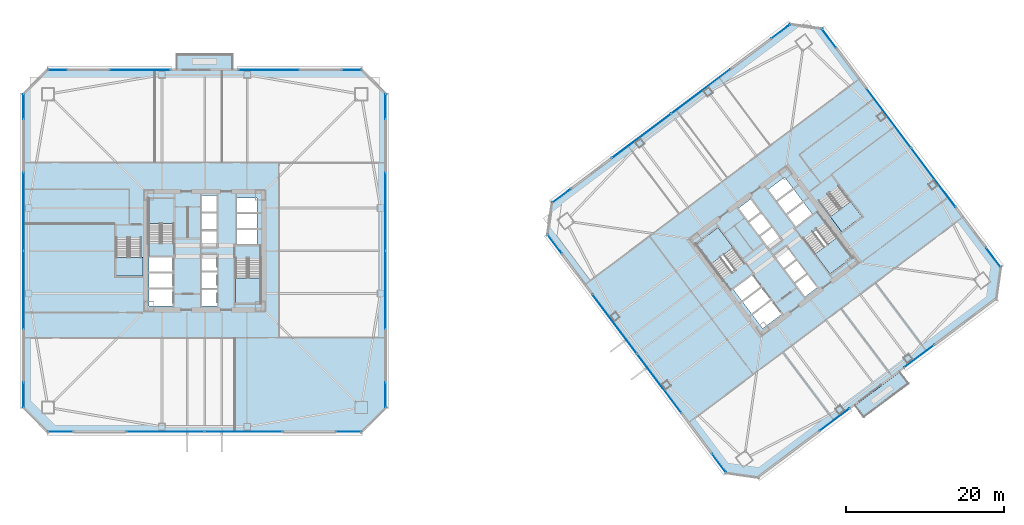
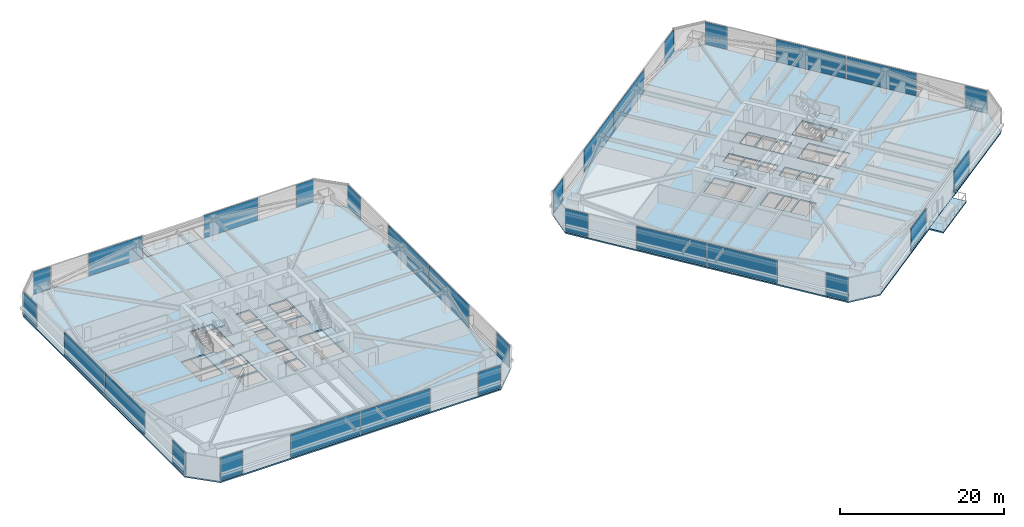
# One storey, part 36 of 48: 30 plates, 10 slabs, 30 elements without a shape of their own.
"""IFC4 building model written with IfcOpenShell, lengths in metres."""

from ifc_helpers import new_model, si_unit, direction, frame, origin, origin_2d, place, context, subcontext, project, spatial, polyline, rectangle, outline, extrude, material, layer, layer_set, type_object, element, aggregate, save


model = new_model("IFC4")

# Units and contexts
model_context = context("Model", 3, precision=1e-05, world=origin(), true_north=direction((0.0, 1.0)))
body_context = subcontext(model_context, "Body", "Model", "MODEL_VIEW")
ifc_project = project(units=[si_unit("LENGTHUNIT", "METRE"), si_unit("AREAUNIT", "SQUARE_METRE"), si_unit("VOLUMEUNIT", "CUBIC_METRE"), si_unit("PLANEANGLEUNIT", "RADIAN"), si_unit("MASSUNIT", "GRAM", prefix="KILO")], contexts=[model_context])

# Site, building, storey
site_placement = place(None, origin())
site = spatial("IfcSite", under=ifc_project, at=site_placement, CompositionType="ELEMENT")
building_placement = place(site_placement, origin())
building = spatial("IfcBuilding", under=site, at=building_placement, Name="Tashvorn Skyway Center", CompositionType="ELEMENT")
storey_placement = place(building_placement, frame((0.0, 0.0, 53.0)))
storey = spatial("IfcBuildingStorey", under=building, at=storey_placement, Name="L13", CompositionType="ELEMENT", Elevation=53.0)

# Curtain wall, plate
ifc_material_1 = material(Name="Thermally broken bronze-anodized aluminium 6063-T6", Category="aluminium")
curtain_wall_type = type_object("IfcCurtainWallType", Name="CW-CW-Z1", PredefinedType="NOTDEFINED", material=ifc_material_1)
curtain_wall_1_placement = place(storey_placement, origin())
curtain_wall_1 = element("IfcCurtainWall", 1, at=curtain_wall_1_placement, inside=storey, type_object=curtain_wall_type, Name="Tower 1 L13 South Unitised Curtain Wall Glazing Group 1", PredefinedType="NOTDEFINED")
ifc_material_2 = material(Name="Low-E solar-control double insulating safety glass", Category="glass")
ifc_layer_1 = layer(ifc_material_2, 0.048095703125)
ifc_layer_set_1 = layer_set([ifc_layer_1], Name="Low-E solar-control double insulating safety glass")
plate_type = type_object("IfcPlateType", Name="CWP-CW-Z1", PredefinedType="CURTAIN_PANEL", material=ifc_layer_set_1)
plate_1_placement = place(storey_placement, frame((60.223388671875, 9.1201171875, 0.0849609375), z_axis=(0.0, 0.0, 1.0), x_axis=(-1.0, 0.0, 0.0)))
plate_1 = element("IfcPlate", 2, at=plate_1_placement, type_object=plate_type, Name="CW-Z1 panel 1.1", PredefinedType="CURTAIN_PANEL", context=body_context, shape_type="SweptSolid", body=[
    extrude(rectangle(XDim=3.143310546875, YDim=0.048095703125, at=origin_2d()), origin(), (0.0, 0.0, 1.0), 3.3798828125),
])
aggregate(curtain_wall_1, [plate_1])

# Curtain wall, plates
curtain_wall_2_placement = place(storey_placement, origin())
curtain_wall_2 = element("IfcCurtainWall", 3, at=curtain_wall_2_placement, inside=storey, type_object=curtain_wall_type, Name="Tower 1 L13 South Unitised Curtain Wall Glazing Group 2", PredefinedType="NOTDEFINED")
plate_2_placement = place(storey_placement, frame((46.94873046875, 9.1201171875, 0.0849609375), z_axis=(0.0, 0.0, 1.0), x_axis=(-1.0, 0.0, 0.0)))
plate_2 = element("IfcPlate", 4, at=plate_2_placement, type_object=plate_type, Name="CW-Z1 panel 1.1", PredefinedType="CURTAIN_PANEL", context=body_context, shape_type="SweptSolid", body=[
    extrude(rectangle(XDim=9.8125, YDim=0.048095703125, at=origin_2d()), origin(), (0.0, 0.0, 1.0), 3.3798828125),
])
plate_3_placement = place(storey_placement, frame((37.05126953125, 9.1201171875, 0.0849609375), z_axis=(0.0, 0.0, 1.0), x_axis=(-1.0, 0.0, 0.0)))
plate_3 = element("IfcPlate", 5, at=plate_3_placement, type_object=plate_type, Name="CW-Z1 panel 2.1", PredefinedType="CURTAIN_PANEL", context=body_context, shape_type="SweptSolid", body=[
    extrude(rectangle(XDim=9.8125, YDim=0.048095703125, at=origin_2d()), origin(), (0.0, 0.0, 1.0), 3.3798828125),
])
aggregate(curtain_wall_2, [plate_2, plate_3])

# Curtain wall, plate
curtain_wall_3_placement = place(storey_placement, origin())
curtain_wall_3 = element("IfcCurtainWall", 6, at=curtain_wall_3_placement, inside=storey, type_object=curtain_wall_type, Name="Tower 1 L13 South Unitised Curtain Wall Glazing Group 3", PredefinedType="NOTDEFINED")
plate_4_placement = place(storey_placement, frame((23.776611328125, 9.1201171875, 0.0849609375), z_axis=(0.0, 0.0, 1.0), x_axis=(-1.0, 0.0, 0.0)))
plate_4 = element("IfcPlate", 7, at=plate_4_placement, type_object=plate_type, Name="CW-Z1 panel 1.1", PredefinedType="CURTAIN_PANEL", context=body_context, shape_type="SweptSolid", body=[
    extrude(rectangle(XDim=3.143310546875, YDim=0.048095703125, at=origin_2d()), origin(), (0.0, 0.0, 1.0), 3.3798828125),
])
aggregate(curtain_wall_3, [plate_4])

curtain_wall_4_placement = place(storey_placement, origin())
curtain_wall_4 = element("IfcCurtainWall", 8, at=curtain_wall_4_placement, inside=storey, type_object=curtain_wall_type, Name="Tower 1 L13 West Unitised Curtain Wall Glazing Group 1", PredefinedType="NOTDEFINED")
plate_5_placement = place(storey_placement, frame((19.1201171875, 13.776611328125, 0.0849609375), z_axis=(0.0, 0.0, 1.0), x_axis=(0.0, 1.0, 0.0)))
plate_5 = element("IfcPlate", 9, at=plate_5_placement, type_object=plate_type, Name="CW-Z1 panel 1.1", PredefinedType="CURTAIN_PANEL", context=body_context, shape_type="SweptSolid", body=[
    extrude(rectangle(XDim=3.143310546875, YDim=0.048095703125, at=origin_2d()), origin(), (0.0, 0.0, 1.0), 3.3798828125),
])
aggregate(curtain_wall_4, [plate_5])

# Curtain wall, plates
curtain_wall_5_placement = place(storey_placement, origin())
curtain_wall_5 = element("IfcCurtainWall", 10, at=curtain_wall_5_placement, inside=storey, type_object=curtain_wall_type, Name="Tower 1 L13 West Unitised Curtain Wall Glazing Group 2", PredefinedType="NOTDEFINED")
plate_6_placement = place(storey_placement, frame((19.1201171875, 27.05126953125, 0.0849609375), z_axis=(0.0, 0.0, 1.0), x_axis=(0.0, 1.0, 0.0)))
plate_6 = element("IfcPlate", 11, at=plate_6_placement, type_object=plate_type, Name="CW-Z1 panel 1.1", PredefinedType="CURTAIN_PANEL", context=body_context, shape_type="SweptSolid", body=[
    extrude(rectangle(XDim=9.8125, YDim=0.048095703125, at=origin_2d()), origin(), (0.0, 0.0, 1.0), 3.3798828125),
])
plate_7_placement = place(storey_placement, frame((19.1201171875, 36.94873046875, 0.0849609375), z_axis=(0.0, 0.0, 1.0), x_axis=(0.0, 1.0, 0.0)))
plate_7 = element("IfcPlate", 12, at=plate_7_placement, type_object=plate_type, Name="CW-Z1 panel 2.1", PredefinedType="CURTAIN_PANEL", context=body_context, shape_type="SweptSolid", body=[
    extrude(rectangle(XDim=9.8125, YDim=0.048095703125, at=origin_2d()), origin(), (0.0, 0.0, 1.0), 3.3798828125),
])
aggregate(curtain_wall_5, [plate_6, plate_7])

# Curtain wall, plate
curtain_wall_6_placement = place(storey_placement, origin())
curtain_wall_6 = element("IfcCurtainWall", 13, at=curtain_wall_6_placement, inside=storey, type_object=curtain_wall_type, Name="Tower 1 L13 West Unitised Curtain Wall Glazing Group 3", PredefinedType="NOTDEFINED")
plate_8_placement = place(storey_placement, frame((19.1201171875, 50.223388671875, 0.0849609375), z_axis=(0.0, 0.0, 1.0), x_axis=(0.0, 1.0, 0.0)))
plate_8 = element("IfcPlate", 14, at=plate_8_placement, type_object=plate_type, Name="CW-Z1 panel 1.1", PredefinedType="CURTAIN_PANEL", context=body_context, shape_type="SweptSolid", body=[
    extrude(rectangle(XDim=3.143310546875, YDim=0.048095703125, at=origin_2d()), origin(), (0.0, 0.0, 1.0), 3.3798828125),
])
aggregate(curtain_wall_6, [plate_8])

curtain_wall_7_placement = place(storey_placement, origin())
curtain_wall_7 = element("IfcCurtainWall", 15, at=curtain_wall_7_placement, inside=storey, type_object=curtain_wall_type, Name="Tower 1 L13 North Curtain Wall L Glazing Group 1", PredefinedType="NOTDEFINED")
plate_9_placement = place(storey_placement, frame((23.422607421875, 54.8798828125, 0.0849609375), z_axis=(0.0, 0.0, 1.0), x_axis=(1.0, 0.0, 0.0)))
plate_9 = element("IfcPlate", 16, at=plate_9_placement, type_object=plate_type, Name="CW-Z1 panel 1.1", PredefinedType="CURTAIN_PANEL", context=body_context, shape_type="SweptSolid", body=[
    extrude(rectangle(XDim=2.43505859375, YDim=0.048095703125, at=origin_2d()), origin(), (0.0, 0.0, 1.0), 3.3798828125),
])
aggregate(curtain_wall_7, [plate_9])

curtain_wall_8_placement = place(storey_placement, origin())
curtain_wall_8 = element("IfcCurtainWall", 17, at=curtain_wall_8_placement, inside=storey, type_object=curtain_wall_type, Name="Tower 1 L13 North Curtain Wall L Glazing Group 2", PredefinedType="NOTDEFINED")
plate_10_placement = place(storey_placement, frame((33.842529296875, 54.8798828125, 0.0849609375), z_axis=(0.0, 0.0, 1.0), x_axis=(1.0, 0.0, 0.0)))
plate_10 = element("IfcPlate", 18, at=plate_10_placement, type_object=plate_type, Name="CW-Z1 panel 1.1", PredefinedType="CURTAIN_PANEL", context=body_context, shape_type="SweptSolid", body=[
    extrude(rectangle(XDim=7.64501953125, YDim=0.048095703125, at=origin_2d()), origin(), (0.0, 0.0, 1.0), 3.3798828125),
])
aggregate(curtain_wall_8, [plate_10])

curtain_wall_9_placement = place(storey_placement, origin())
curtain_wall_9 = element("IfcCurtainWall", 19, at=curtain_wall_9_placement, inside=storey, type_object=curtain_wall_type, Name="Tower 1 L13 North Curtain Wall R Glazing Group 1", PredefinedType="NOTDEFINED")
plate_11_placement = place(storey_placement, frame((50.157470703125, 54.8798828125, 0.0849609375), z_axis=(0.0, 0.0, 1.0), x_axis=(1.0, 0.0, 0.0)))
plate_11 = element("IfcPlate", 20, at=plate_11_placement, type_object=plate_type, Name="CW-Z1 panel 1.1", PredefinedType="CURTAIN_PANEL", context=body_context, shape_type="SweptSolid", body=[
    extrude(rectangle(XDim=7.64501953125, YDim=0.048095703125, at=origin_2d()), origin(), (0.0, 0.0, 1.0), 3.3798828125),
])
aggregate(curtain_wall_9, [plate_11])

curtain_wall_10_placement = place(storey_placement, origin())
curtain_wall_10 = element("IfcCurtainWall", 21, at=curtain_wall_10_placement, inside=storey, type_object=curtain_wall_type, Name="Tower 1 L13 North Curtain Wall R Glazing Group 2", PredefinedType="NOTDEFINED")
plate_12_placement = place(storey_placement, frame((60.577392578125, 54.8798828125, 0.0849609375), z_axis=(0.0, 0.0, 1.0), x_axis=(1.0, 0.0, 0.0)))
plate_12 = element("IfcPlate", 22, at=plate_12_placement, type_object=plate_type, Name="CW-Z1 panel 1.1", PredefinedType="CURTAIN_PANEL", context=body_context, shape_type="SweptSolid", body=[
    extrude(rectangle(XDim=2.43505859375, YDim=0.048095703125, at=origin_2d()), origin(), (0.0, 0.0, 1.0), 3.3798828125),
])
aggregate(curtain_wall_10, [plate_12])

curtain_wall_11_placement = place(storey_placement, origin())
curtain_wall_11 = element("IfcCurtainWall", 23, at=curtain_wall_11_placement, inside=storey, type_object=curtain_wall_type, Name="Tower 1 L13 East Unitised Curtain Wall Glazing Group 1", PredefinedType="NOTDEFINED")
plate_13_placement = place(storey_placement, frame((64.8798828125, 50.223388671875, 0.0849609375), z_axis=(0.0, 0.0, 1.0), x_axis=(0.0, -1.0, 0.0)))
plate_13 = element("IfcPlate", 24, at=plate_13_placement, type_object=plate_type, Name="CW-Z1 panel 1.1", PredefinedType="CURTAIN_PANEL", context=body_context, shape_type="SweptSolid", body=[
    extrude(rectangle(XDim=3.143310546875, YDim=0.048095703125, at=origin_2d()), origin(), (0.0, 0.0, 1.0), 3.3798828125),
])
aggregate(curtain_wall_11, [plate_13])

# Curtain wall, plates
curtain_wall_12_placement = place(storey_placement, origin())
curtain_wall_12 = element("IfcCurtainWall", 25, at=curtain_wall_12_placement, inside=storey, type_object=curtain_wall_type, Name="Tower 1 L13 East Unitised Curtain Wall Glazing Group 2", PredefinedType="NOTDEFINED")
plate_14_placement = place(storey_placement, frame((64.8798828125, 36.94873046875, 0.0849609375), z_axis=(0.0, 0.0, 1.0), x_axis=(0.0, -1.0, 0.0)))
plate_14 = element("IfcPlate", 26, at=plate_14_placement, type_object=plate_type, Name="CW-Z1 panel 1.1", PredefinedType="CURTAIN_PANEL", context=body_context, shape_type="SweptSolid", body=[
    extrude(rectangle(XDim=9.8125, YDim=0.048095703125, at=origin_2d()), origin(), (0.0, 0.0, 1.0), 3.3798828125),
])
plate_15_placement = place(storey_placement, frame((64.8798828125, 27.05126953125, 0.0849609375), z_axis=(0.0, 0.0, 1.0), x_axis=(0.0, -1.0, 0.0)))
plate_15 = element("IfcPlate", 27, at=plate_15_placement, type_object=plate_type, Name="CW-Z1 panel 2.1", PredefinedType="CURTAIN_PANEL", context=body_context, shape_type="SweptSolid", body=[
    extrude(rectangle(XDim=9.8125, YDim=0.048095703125, at=origin_2d()), origin(), (0.0, 0.0, 1.0), 3.3798828125),
])
aggregate(curtain_wall_12, [plate_14, plate_15])

# Curtain wall, plate
curtain_wall_13_placement = place(storey_placement, origin())
curtain_wall_13 = element("IfcCurtainWall", 28, at=curtain_wall_13_placement, inside=storey, type_object=curtain_wall_type, Name="Tower 1 L13 East Unitised Curtain Wall Glazing Group 3", PredefinedType="NOTDEFINED")
plate_16_placement = place(storey_placement, frame((64.8798828125, 13.776611328125, 0.0849609375), z_axis=(0.0, 0.0, 1.0), x_axis=(0.0, -1.0, 0.0)))
plate_16 = element("IfcPlate", 29, at=plate_16_placement, type_object=plate_type, Name="CW-Z1 panel 1.1", PredefinedType="CURTAIN_PANEL", context=body_context, shape_type="SweptSolid", body=[
    extrude(rectangle(XDim=3.143310546875, YDim=0.048095703125, at=origin_2d()), origin(), (0.0, 0.0, 1.0), 3.3798828125),
])
aggregate(curtain_wall_13, [plate_16])

curtain_wall_14_placement = place(storey_placement, origin())
curtain_wall_14 = element("IfcCurtainWall", 30, at=curtain_wall_14_placement, inside=storey, type_object=curtain_wall_type, Name="Tower 2 L13 South Curtain Wall L Glazing Group 1", PredefinedType="NOTDEFINED")
plate_17_placement = place(storey_placement, frame((132.358642578125, 18.6689453125, 0.0849609375), z_axis=(0.0, 0.0, 1.0), x_axis=(-0.799997539287, -0.600003280937, 0.0)))
plate_17 = element("IfcPlate", 31, at=plate_17_placement, type_object=plate_type, Name="CW-Z1 panel 1.1", PredefinedType="CURTAIN_PANEL", context=body_context, shape_type="SweptSolid", body=[
    extrude(rectangle(XDim=4.70654296875, YDim=0.048095703125, at=origin_2d()), origin(), (0.0, 0.0, 1.0), 3.3798828125),
])
aggregate(curtain_wall_14, [plate_17])

curtain_wall_15_placement = place(storey_placement, origin())
curtain_wall_15 = element("IfcCurtainWall", 32, at=curtain_wall_15_placement, inside=storey, type_object=curtain_wall_type, Name="Tower 2 L13 South Curtain Wall R Glazing Group 1", PredefinedType="NOTDEFINED")
plate_18_placement = place(storey_placement, frame((121.657470703125, 10.64306640625, 0.0849609375), z_axis=(0.0, 0.0, 1.0), x_axis=(-0.799997539287, -0.600003280937, 0.0)))
plate_18 = element("IfcPlate", 33, at=plate_18_placement, type_object=plate_type, Name="CW-Z1 panel 1.1", PredefinedType="CURTAIN_PANEL", context=body_context, shape_type="SweptSolid", body=[
    extrude(rectangle(XDim=4.70654296875, YDim=0.048095703125, at=origin_2d()), origin(), (0.0, 0.0, 1.0), 3.3798828125),
])
aggregate(curtain_wall_15, [plate_18])

curtain_wall_16_placement = place(storey_placement, origin())
curtain_wall_16 = element("IfcCurtainWall", 34, at=curtain_wall_16_placement, inside=storey, type_object=curtain_wall_type, Name="Tower 2 L13 West Unitised Curtain Wall Glazing Group 1", PredefinedType="NOTDEFINED")
plate_19_placement = place(storey_placement, frame((107.0400390625, 5.146728515625, 0.0849609375), z_axis=(0.0, 0.0, 1.0), x_axis=(-0.600005084776, 0.799996186392, 0.0)))
plate_19 = element("IfcPlate", 35, at=plate_19_placement, type_object=plate_type, Name="CW-Z1 panel 1.1", PredefinedType="CURTAIN_PANEL", context=body_context, shape_type="SweptSolid", body=[
    extrude(rectangle(XDim=2.9765625, YDim=0.048095703125, at=origin_2d()), origin(), (0.0, 0.0, 1.0), 3.3798828125),
])
aggregate(curtain_wall_16, [plate_19])

# Curtain wall, plates
curtain_wall_17_placement = place(storey_placement, origin())
curtain_wall_17 = element("IfcCurtainWall", 36, at=curtain_wall_17_placement, inside=storey, type_object=curtain_wall_type, Name="Tower 2 L13 West Unitised Curtain Wall Glazing Group 2", PredefinedType="NOTDEFINED")
plate_20_placement = place(storey_placement, frame((99.475341796875, 15.23291015625, 0.0849609375), z_axis=(0.0, 0.0, 1.0), x_axis=(-0.600000000002, 0.799999999998, 0.0)))
plate_20 = element("IfcPlate", 37, at=plate_20_placement, type_object=plate_type, Name="CW-Z1 panel 1.1", PredefinedType="CURTAIN_PANEL", context=body_context, shape_type="SweptSolid", body=[
    extrude(rectangle(XDim=9.3125, YDim=0.048095703125, at=origin_2d()), origin(), (0.0, 0.0, 1.0), 3.3798828125),
])
plate_21_placement = place(storey_placement, frame((93.836669921875, 22.7509765625, 0.0849609375), z_axis=(0.0, 0.0, 1.0), x_axis=(-0.600000000002, 0.799999999998, 0.0)))
plate_21 = element("IfcPlate", 38, at=plate_21_placement, type_object=plate_type, Name="CW-Z1 panel 2.1", PredefinedType="CURTAIN_PANEL", context=body_context, shape_type="SweptSolid", body=[
    extrude(rectangle(XDim=9.3125, YDim=0.048095703125, at=origin_2d()), origin(), (0.0, 0.0, 1.0), 3.3798828125),
])
aggregate(curtain_wall_17, [plate_20, plate_21])

# Curtain wall, plate
curtain_wall_18_placement = place(storey_placement, origin())
curtain_wall_18 = element("IfcCurtainWall", 39, at=curtain_wall_18_placement, inside=storey, type_object=curtain_wall_type, Name="Tower 2 L13 West Unitised Curtain Wall Glazing Group 3", PredefinedType="NOTDEFINED")
plate_22_placement = place(storey_placement, frame((86.27197265625, 32.83740234375, 0.0849609375), z_axis=(0.0, 0.0, 1.0), x_axis=(-0.600005084776, 0.799996186392, 0.0)))
plate_22 = element("IfcPlate", 40, at=plate_22_placement, type_object=plate_type, Name="CW-Z1 panel 1.1", PredefinedType="CURTAIN_PANEL", context=body_context, shape_type="SweptSolid", body=[
    extrude(rectangle(XDim=2.9765625, YDim=0.048095703125, at=origin_2d()), origin(), (0.0, 0.0, 1.0), 3.3798828125),
])
aggregate(curtain_wall_18, [plate_22])

curtain_wall_19_placement = place(storey_placement, origin())
curtain_wall_19 = element("IfcCurtainWall", 41, at=curtain_wall_19_placement, inside=storey, type_object=curtain_wall_type, Name="Tower 2 L13 North Unitised Curtain Wall Glazing Group 1", PredefinedType="NOTDEFINED")
plate_23_placement = place(storey_placement, frame((87.146728515625, 38.9599609375, 0.0849609375), z_axis=(0.0, 0.0, 1.0), x_axis=(0.799996186392, 0.600005084776, 0.0)))
plate_23 = element("IfcPlate", 42, at=plate_23_placement, type_object=plate_type, Name="CW-Z1 panel 1.1", PredefinedType="CURTAIN_PANEL", context=body_context, shape_type="SweptSolid", body=[
    extrude(rectangle(XDim=2.9765625, YDim=0.048095703125, at=origin_2d()), origin(), (0.0, 0.0, 1.0), 3.3798828125),
])
aggregate(curtain_wall_19, [plate_23])

# Curtain wall, plates
curtain_wall_20_placement = place(storey_placement, origin())
curtain_wall_20 = element("IfcCurtainWall", 43, at=curtain_wall_20_placement, inside=storey, type_object=curtain_wall_type, Name="Tower 2 L13 North Unitised Curtain Wall Glazing Group 2", PredefinedType="NOTDEFINED")
plate_24_placement = place(storey_placement, frame((97.23291015625, 46.524658203125, 0.0849609375), z_axis=(0.0, 0.0, 1.0), x_axis=(0.799999999998, 0.600000000002, 0.0)))
plate_24 = element("IfcPlate", 44, at=plate_24_placement, type_object=plate_type, Name="CW-Z1 panel 1.1", PredefinedType="CURTAIN_PANEL", context=body_context, shape_type="SweptSolid", body=[
    extrude(rectangle(XDim=9.3125, YDim=0.048095703125, at=origin_2d()), origin(), (0.0, 0.0, 1.0), 3.3798828125),
])
plate_25_placement = place(storey_placement, frame((104.7509765625, 52.163330078125, 0.0849609375), z_axis=(0.0, 0.0, 1.0), x_axis=(0.799999999998, 0.600000000002, 0.0)))
plate_25 = element("IfcPlate", 45, at=plate_25_placement, type_object=plate_type, Name="CW-Z1 panel 2.1", PredefinedType="CURTAIN_PANEL", context=body_context, shape_type="SweptSolid", body=[
    extrude(rectangle(XDim=9.3125, YDim=0.048095703125, at=origin_2d()), origin(), (0.0, 0.0, 1.0), 3.3798828125),
])
aggregate(curtain_wall_20, [plate_24, plate_25])

# Curtain wall, plate
curtain_wall_21_placement = place(storey_placement, origin())
curtain_wall_21 = element("IfcCurtainWall", 46, at=curtain_wall_21_placement, inside=storey, type_object=curtain_wall_type, Name="Tower 2 L13 North Unitised Curtain Wall Glazing Group 3", PredefinedType="NOTDEFINED")
plate_26_placement = place(storey_placement, frame((114.83740234375, 59.72802734375, 0.0849609375), z_axis=(0.0, 0.0, 1.0), x_axis=(0.799996186392, 0.600005084776, 0.0)))
plate_26 = element("IfcPlate", 47, at=plate_26_placement, type_object=plate_type, Name="CW-Z1 panel 1.1", PredefinedType="CURTAIN_PANEL", context=body_context, shape_type="SweptSolid", body=[
    extrude(rectangle(XDim=2.9765625, YDim=0.048095703125, at=origin_2d()), origin(), (0.0, 0.0, 1.0), 3.3798828125),
])
aggregate(curtain_wall_21, [plate_26])

curtain_wall_22_placement = place(storey_placement, origin())
curtain_wall_22 = element("IfcCurtainWall", 48, at=curtain_wall_22_placement, inside=storey, type_object=curtain_wall_type, Name="Tower 2 L13 East Unitised Curtain Wall Glazing Group 1", PredefinedType="NOTDEFINED")
plate_27_placement = place(storey_placement, frame((120.9599609375, 58.853271484375, 0.0849609375), z_axis=(0.0, 0.0, 1.0), x_axis=(0.600005084776, -0.799996186392, 0.0)))
plate_27 = element("IfcPlate", 49, at=plate_27_placement, type_object=plate_type, Name="CW-Z1 panel 1.1", PredefinedType="CURTAIN_PANEL", context=body_context, shape_type="SweptSolid", body=[
    extrude(rectangle(XDim=2.9765625, YDim=0.048095703125, at=origin_2d()), origin(), (0.0, 0.0, 1.0), 3.3798828125),
])
aggregate(curtain_wall_22, [plate_27])

# Curtain wall, plates
curtain_wall_23_placement = place(storey_placement, origin())
curtain_wall_23 = element("IfcCurtainWall", 50, at=curtain_wall_23_placement, inside=storey, type_object=curtain_wall_type, Name="Tower 2 L13 East Unitised Curtain Wall Glazing Group 2", PredefinedType="NOTDEFINED")
plate_28_placement = place(storey_placement, frame((128.524658203125, 48.76708984375, 0.0849609375), z_axis=(0.0, 0.0, 1.0), x_axis=(0.600000000002, -0.799999999998, 0.0)))
plate_28 = element("IfcPlate", 51, at=plate_28_placement, type_object=plate_type, Name="CW-Z1 panel 1.1", PredefinedType="CURTAIN_PANEL", context=body_context, shape_type="SweptSolid", body=[
    extrude(rectangle(XDim=9.3125, YDim=0.048095703125, at=origin_2d()), origin(), (0.0, 0.0, 1.0), 3.3798828125),
])
plate_29_placement = place(storey_placement, frame((134.163330078125, 41.2490234375, 0.0849609375), z_axis=(0.0, 0.0, 1.0), x_axis=(0.600000000002, -0.799999999998, 0.0)))
plate_29 = element("IfcPlate", 52, at=plate_29_placement, type_object=plate_type, Name="CW-Z1 panel 2.1", PredefinedType="CURTAIN_PANEL", context=body_context, shape_type="SweptSolid", body=[
    extrude(rectangle(XDim=9.3125, YDim=0.048095703125, at=origin_2d()), origin(), (0.0, 0.0, 1.0), 3.3798828125),
])
aggregate(curtain_wall_23, [plate_28, plate_29])

# Curtain wall, plate
curtain_wall_24_placement = place(storey_placement, origin())
curtain_wall_24 = element("IfcCurtainWall", 53, at=curtain_wall_24_placement, inside=storey, type_object=curtain_wall_type, Name="Tower 2 L13 East Unitised Curtain Wall Glazing Group 3", PredefinedType="NOTDEFINED")
plate_30_placement = place(storey_placement, frame((141.72802734375, 31.16259765625, 0.0849609375), z_axis=(0.0, 0.0, 1.0), x_axis=(0.600005084776, -0.799996186392, 0.0)))
plate_30 = element("IfcPlate", 54, at=plate_30_placement, type_object=plate_type, Name="CW-Z1 panel 1.1", PredefinedType="CURTAIN_PANEL", context=body_context, shape_type="SweptSolid", body=[
    extrude(rectangle(XDim=2.9765625, YDim=0.048095703125, at=origin_2d()), origin(), (0.0, 0.0, 1.0), 3.3798828125),
])
aggregate(curtain_wall_24, [plate_30])

# Slabs
ifc_material_3 = material(Name="Concrete C40/50", Category="concrete")
ifc_layer_2 = layer(ifc_material_3, 0.199951171875)
ifc_layer_set_2 = layer_set([ifc_layer_2], Name="Concrete C40/50")
slab_type_1 = type_object("IfcSlabType", Name="SLAB-FLR-200", PredefinedType="FLOOR", material=ifc_layer_set_2)
slab_1_placement = place(storey_placement, frame((0.0, 0.0, -0.199951171875)))
element("IfcSlab", 55, at=slab_1_placement, inside=storey, type_object=slab_type_1, Name="Tower 1 L13 Composite Floor Slab", PredefinedType="FLOOR", context=body_context, shape_type="SweptSolid", body=[
    extrude(outline(polyline([(22.199951171875, 9.0), (61.800048828125, 9.0), (65.0, 12.199951171875), (65.0, 51.800048828125), (61.800048828125, 55.0), (22.199951171875, 55.0), (19.0, 51.800048828125), (19.0, 12.199951171875), (22.199951171875, 9.0)]), holes=[polyline([(38.10009765625, 33.080078125), (38.10009765625, 38.60009765625), (34.89990234375, 38.60009765625), (34.89990234375, 33.080078125), (38.10009765625, 33.080078125)]), polyline([(45.89990234375, 30.919921875), (45.89990234375, 25.39990234375), (49.10009765625, 25.39990234375), (49.10009765625, 30.919921875), (45.89990234375, 30.919921875)]), polyline([(30.800048828125, 33.52001953125), (30.800048828125, 28.800048828125), (34.0, 28.800048828125), (34.0, 33.52001953125), (30.800048828125, 33.52001953125)]), polyline([(34.949951171875, 29.35009765625), (37.949951171875, 29.35009765625), (37.949951171875, 31.199951171875), (34.949951171875, 31.199951171875), (34.949951171875, 29.35009765625)]), polyline([(34.949951171875, 27.35009765625), (37.949951171875, 27.35009765625), (37.949951171875, 29.199951171875), (34.949951171875, 29.199951171875), (34.949951171875, 27.35009765625)]), polyline([(34.949951171875, 25.0), (37.949951171875, 25.0), (37.949951171875, 27.14990234375), (34.949951171875, 27.14990234375), (34.949951171875, 25.0)]), polyline([(41.64990234375, 25.0), (43.550048828125, 25.0), (43.550048828125, 27.050048828125), (41.64990234375, 27.050048828125), (41.64990234375, 25.0)]), polyline([(41.64990234375, 27.25), (43.550048828125, 27.25), (43.550048828125, 29.300048828125), (41.64990234375, 29.300048828125), (41.64990234375, 27.25)]), polyline([(41.64990234375, 29.5), (43.550048828125, 29.5), (43.550048828125, 31.550048828125), (41.64990234375, 31.550048828125), (41.64990234375, 29.5)]), polyline([(41.64990234375, 32.449951171875), (43.550048828125, 32.449951171875), (43.550048828125, 34.5), (41.64990234375, 34.5), (41.64990234375, 32.449951171875)]), polyline([(41.64990234375, 34.699951171875), (43.550048828125, 34.699951171875), (43.550048828125, 36.75), (41.64990234375, 36.75), (41.64990234375, 34.699951171875)]), polyline([(41.64990234375, 36.949951171875), (43.550048828125, 36.949951171875), (43.550048828125, 39.0), (41.64990234375, 39.0), (41.64990234375, 36.949951171875)]), polyline([(46.050048828125, 32.800048828125), (48.64990234375, 32.800048828125), (48.64990234375, 34.64990234375), (46.050048828125, 34.64990234375), (46.050048828125, 32.800048828125)]), polyline([(46.050048828125, 34.85009765625), (48.64990234375, 34.85009765625), (48.64990234375, 36.699951171875), (46.050048828125, 36.699951171875), (46.050048828125, 34.85009765625)]), polyline([(46.050048828125, 36.89990234375), (48.64990234375, 36.89990234375), (48.64990234375, 38.64990234375), (46.050048828125, 38.64990234375), (46.050048828125, 36.89990234375)])]), origin(), (0.0, 0.0, 1.0), 0.199951171875),
])
slab_2_placement = place(storey_placement, frame((0.0, 0.0, -0.199951171875)))
element("IfcSlab", 56, at=slab_2_placement, inside=storey, type_object=slab_type_1, Name="Tower 2 L13 Composite Floor Slab", PredefinedType="FLOOR", context=body_context, shape_type="SweptSolid", body=[
    extrude(outline(polyline([(112.0400390625, 3.280029296875), (142.1201171875, 25.840087890625), (142.719970703125, 30.0400390625), (120.159912109375, 60.1201171875), (115.9599609375, 60.719970703125), (85.8798828125, 38.159912109375), (85.280029296875, 33.9599609375), (107.840087890625, 3.8798828125), (112.0400390625, 3.280029296875)]), holes=[polyline([(110.23193359375, 30.52392578125), (106.919921875, 34.93994140625), (104.135986328125, 32.85205078125), (107.447998046875, 28.43603515625), (110.23193359375, 30.52392578125)]), polyline([(117.76806640625, 33.47607421875), (121.080078125, 29.06005859375), (123.864013671875, 31.14794921875), (120.552001953125, 35.56396484375), (117.76806640625, 33.47607421875)]), polyline([(119.7119140625, 38.18408203125), (122.5439453125, 34.407958984375), (125.10400390625, 36.327880859375), (122.27197265625, 40.10400390625), (119.7119140625, 38.18408203125)]), polyline([(109.949951171875, 25.64990234375), (112.35009765625, 27.449951171875), (111.239990234375, 28.929931640625), (108.840087890625, 27.1298828125), (109.949951171875, 25.64990234375)]), polyline([(111.14990234375, 24.050048828125), (113.550048828125, 25.85009765625), (112.43994140625, 27.330078125), (110.0400390625, 25.530029296875), (111.14990234375, 24.050048828125)]), polyline([(112.56005859375, 22.169921875), (114.9599609375, 23.969970703125), (113.669921875, 25.68994140625), (111.27001953125, 23.889892578125), (112.56005859375, 22.169921875)]), polyline([(117.919921875, 26.18994140625), (119.43994140625, 27.330078125), (118.2099609375, 28.969970703125), (116.68994140625, 27.830078125), (117.919921875, 26.18994140625)]), polyline([(116.570068359375, 27.989990234375), (118.090087890625, 29.1298828125), (116.860107421875, 30.77001953125), (115.340087890625, 29.6298828125), (116.570068359375, 27.989990234375)]), polyline([(115.219970703125, 29.7900390625), (116.739990234375, 30.929931640625), (115.510009765625, 32.570068359375), (113.989990234375, 31.429931640625), (115.219970703125, 29.7900390625)]), polyline([(113.449951171875, 32.14990234375), (114.969970703125, 33.2900390625), (113.739990234375, 34.929931640625), (112.219970703125, 33.7900390625), (113.449951171875, 32.14990234375)]), polyline([(112.10009765625, 33.949951171875), (113.6201171875, 35.090087890625), (112.389892578125, 36.72998046875), (110.8701171875, 35.590087890625), (112.10009765625, 33.949951171875)]), polyline([(110.75, 35.75), (112.27001953125, 36.889892578125), (111.0400390625, 38.530029296875), (109.52001953125, 37.389892578125), (110.75, 35.75)]), polyline([(116.760009765625, 35.070068359375), (118.840087890625, 36.6298828125), (117.72998046875, 38.110107421875), (115.64990234375, 36.550048828125), (116.760009765625, 35.070068359375)]), polyline([(115.530029296875, 36.7099609375), (117.610107421875, 38.27001953125), (116.5, 39.75), (114.419921875, 38.18994140625), (115.530029296875, 36.7099609375)]), polyline([(114.300048828125, 38.35009765625), (116.3798828125, 39.909912109375), (115.330078125, 41.31005859375), (113.25, 39.75), (114.300048828125, 38.35009765625)])]), origin(), (0.0, 0.0, 1.0), 0.199951171875),
])

# Stair, slab
stair_type = type_object("IfcStairType", Name="STAIR-CORE-1500", PredefinedType="HALF_TURN_STAIR", material=ifc_material_3)
stair_1_placement = place(storey_placement, origin())
stair_1 = element("IfcStair", 57, at=stair_1_placement, inside=storey, type_object=stair_type, Name="L13 Tower 1 Exit Stair 1", PredefinedType="HALF_TURN_STAIR")
ifc_layer_3 = layer(ifc_material_3, 0.199951171875)
ifc_layer_set_3 = layer_set([ifc_layer_3], Name="Concrete C40/50")
slab_type_2 = type_object("IfcSlabType", Name="SLAB-LAND-200", PredefinedType="LANDING", material=ifc_layer_set_3)
slab_3_placement = place(storey_placement, frame((0.0, 0.0, 1.574951171875)))
slab_3 = element("IfcSlab", 58, at=slab_3_placement, type_object=slab_type_2, Name="ST-T1-1 landing 1", PredefinedType="LANDING", context=body_context, shape_type="SweptSolid", body=[
    extrude(outline(polyline([(38.10009765625, 35.43994140625), (38.10009765625, 38.60009765625), (34.89990234375, 38.60009765625), (34.89990234375, 35.43994140625), (38.10009765625, 35.43994140625)])), origin(), (0.0, 0.0, 1.0), 0.199951171875),
])
aggregate(stair_1, [slab_3])

stair_2_placement = place(storey_placement, origin())
stair_2 = element("IfcStair", 59, at=stair_2_placement, inside=storey, type_object=stair_type, Name="L13 Tower 1 Exit Stair 2", PredefinedType="HALF_TURN_STAIR")
slab_4_placement = place(storey_placement, frame((0.0, 0.0, 1.574951171875)))
slab_4 = element("IfcSlab", 60, at=slab_4_placement, type_object=slab_type_2, Name="ST-T1-2 landing 1", PredefinedType="LANDING", context=body_context, shape_type="SweptSolid", body=[
    extrude(outline(polyline([(45.89990234375, 28.56005859375), (45.89990234375, 25.39990234375), (49.10009765625, 25.39990234375), (49.10009765625, 28.56005859375), (45.89990234375, 28.56005859375)])), origin(), (0.0, 0.0, 1.0), 0.199951171875),
])
aggregate(stair_2, [slab_4])

stair_3_placement = place(storey_placement, origin())
stair_3 = element("IfcStair", 61, at=stair_3_placement, inside=storey, type_object=stair_type, Name="L13 Tower 2 Exit Stair 1", PredefinedType="HALF_TURN_STAIR")
slab_5_placement = place(storey_placement, frame((0.0, 0.0, 1.574951171875)))
slab_5 = element("IfcSlab", 62, at=slab_5_placement, type_object=slab_type_2, Name="ST-T2-1 landing 1", PredefinedType="LANDING", context=body_context, shape_type="SweptSolid", body=[
    extrude(outline(polyline([(108.82080078125, 32.405517578125), (106.919921875, 34.93994140625), (104.135986328125, 32.85205078125), (106.036865234375, 30.317626953125), (108.82080078125, 32.405517578125)])), origin(), (0.0, 0.0, 1.0), 0.199951171875),
])
aggregate(stair_3, [slab_5])

stair_4_placement = place(storey_placement, origin())
stair_4 = element("IfcStair", 63, at=stair_4_placement, inside=storey, type_object=stair_type, Name="L13 Tower 2 Exit Stair 2", PredefinedType="HALF_TURN_STAIR")
slab_6_placement = place(storey_placement, frame((0.0, 0.0, 1.574951171875)))
slab_6 = element("IfcSlab", 64, at=slab_6_placement, type_object=slab_type_2, Name="ST-T2-2 landing 1", PredefinedType="LANDING", context=body_context, shape_type="SweptSolid", body=[
    extrude(outline(polyline([(119.17919921875, 31.594482421875), (121.080078125, 29.06005859375), (123.864013671875, 31.14794921875), (121.963134765625, 33.682373046875), (119.17919921875, 31.594482421875)])), origin(), (0.0, 0.0, 1.0), 0.199951171875),
])
aggregate(stair_4, [slab_6])

stair_5_placement = place(storey_placement, origin())
stair_5 = element("IfcStair", 65, at=stair_5_placement, inside=storey, type_object=stair_type, Name="L13 Tower 1 Exit Stair 3", PredefinedType="HALF_TURN_STAIR")
slab_7_placement = place(storey_placement, frame((0.0, 0.0, 1.574951171875)))
slab_7 = element("IfcSlab", 66, at=slab_7_placement, type_object=slab_type_2, Name="ST-T1-3 landing 1", PredefinedType="LANDING", context=body_context, shape_type="SweptSolid", body=[
    extrude(outline(polyline([(30.800048828125, 31.159912109375), (30.800048828125, 28.800048828125), (34.199951171875, 28.800048828125), (34.199951171875, 31.159912109375), (30.800048828125, 31.159912109375)])), origin(), (0.0, 0.0, 1.0), 0.199951171875),
])
aggregate(stair_5, [slab_7])

stair_6_placement = place(storey_placement, origin())
stair_6 = element("IfcStair", 67, at=stair_6_placement, inside=storey, type_object=stair_type, Name="L13 Tower 2 Exit Stair 3", PredefinedType="HALF_TURN_STAIR")
slab_8_placement = place(storey_placement, frame((0.0, 0.0, 1.574951171875)))
slab_8 = element("IfcSlab", 68, at=slab_8_placement, type_object=slab_type_2, Name="ST-T2-3 landing 1", PredefinedType="LANDING", context=body_context, shape_type="SweptSolid", body=[
    extrude(outline(polyline([(121.123291015625, 36.302490234375), (122.5439453125, 34.407958984375), (125.10400390625, 36.327880859375), (123.68310546875, 38.222412109375), (121.123291015625, 36.302490234375)])), origin(), (0.0, 0.0, 1.0), 0.199951171875),
])
aggregate(stair_6, [slab_8])

# Slabs
ifc_layer_4 = layer(ifc_material_3, 0.179931640625)
ifc_layer_set_4 = layer_set([ifc_layer_4], Name="Concrete C40/50")
slab_type_3 = type_object("IfcSlabType", Name="SLAB-TERR-200", PredefinedType="FLOOR", material=ifc_layer_set_4)
slab_9_placement = place(storey_placement, frame((0.0, 0.0, -0.199951171875)))
element("IfcSlab", 69, at=slab_9_placement, inside=storey, type_object=slab_type_3, Name="Tower 1 L13 Spiral Planted Terrace Slab", PredefinedType="FLOOR", context=body_context, shape_type="SweptSolid", body=[
    extrude(outline(polyline([(38.39990234375, 54.989990234375), (45.60009765625, 54.989990234375), (45.60009765625, 56.89990234375), (38.39990234375, 56.89990234375), (38.39990234375, 54.989990234375)])), origin(), (0.0, 0.0, 1.0), 0.199951171875),
])
slab_10_placement = place(storey_placement, frame((0.0, 0.0, -0.199951171875)))
element("IfcSlab", 70, at=slab_10_placement, inside=storey, type_object=slab_type_3, Name="Tower 2 L13 Spiral Planted Terrace Slab", PredefinedType="FLOOR", context=body_context, shape_type="SweptSolid", body=[
    extrude(outline(polyline([(125.340087890625, 10.8798828125), (131.10009765625, 15.199951171875), (129.9541015625, 16.72802734375), (124.194091796875, 12.407958984375), (125.340087890625, 10.8798828125)])), origin(), (0.0, 0.0, 1.0), 0.199951171875),
])

save(model, "model.ifc")
